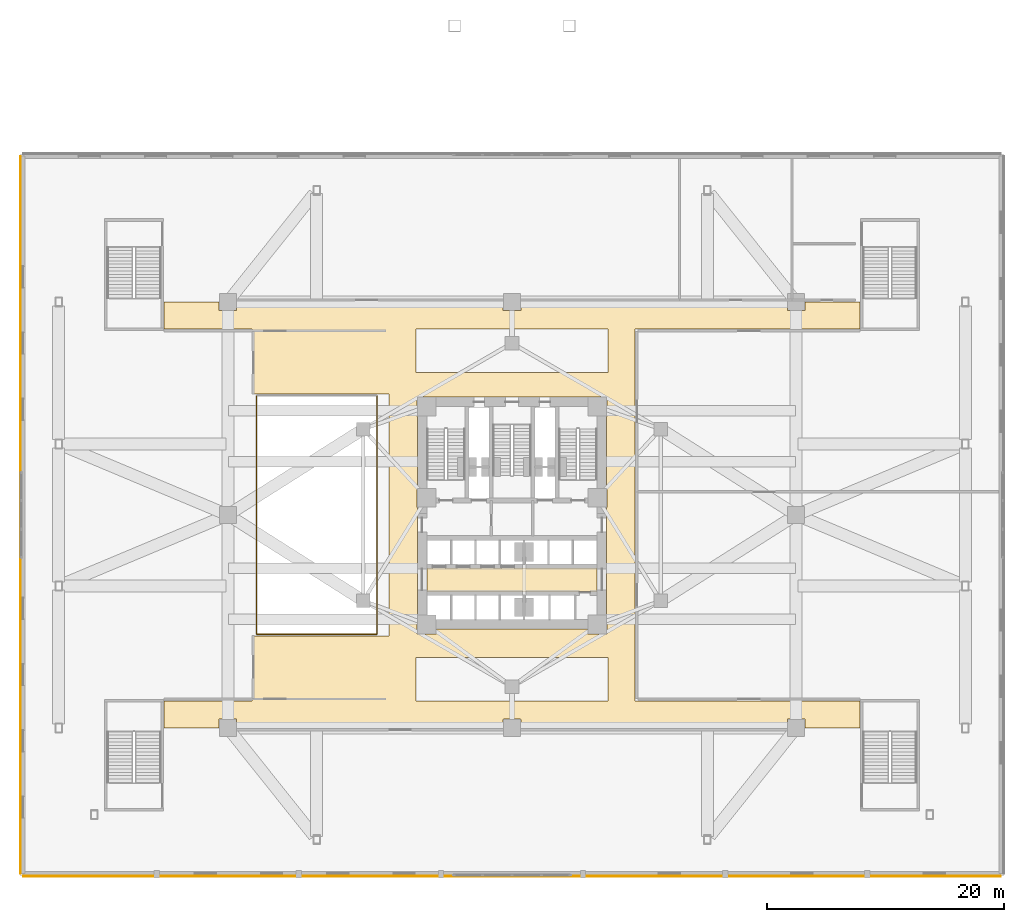
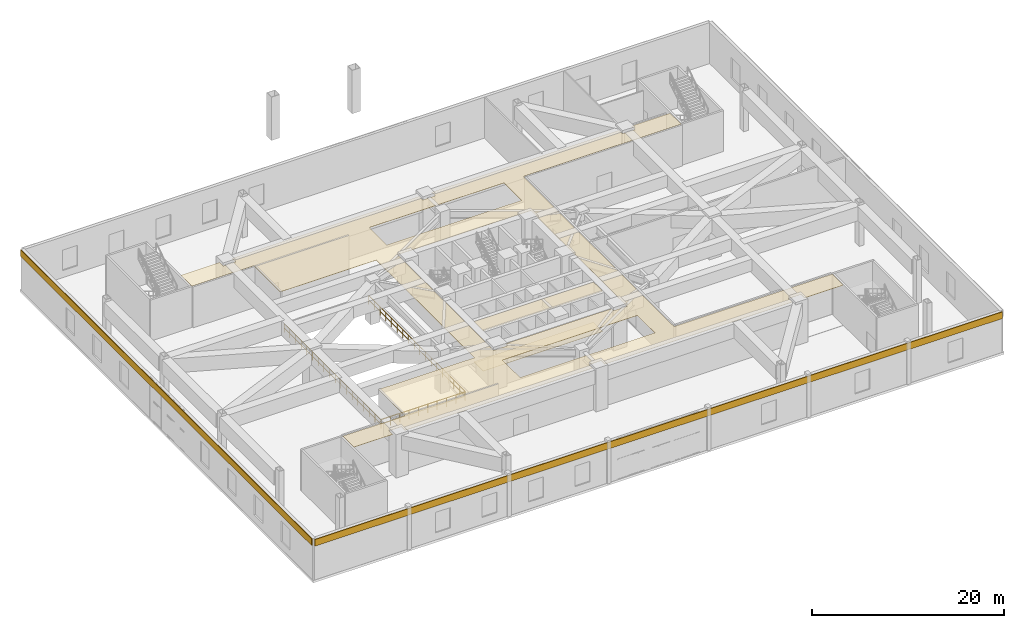
# One storey, part 17 of 23: 5 coverings, 3 railings.
"""IFC4 building model written with IfcOpenShell, lengths in metres."""

from ifc_helpers import new_model, si_unit, direction, frame, origin, origin_2d, place, context, subcontext, project, spatial, polyline, rectangle, outline, extrude, material, layer, layer_set, type_object, element, save


model = new_model("IFC4")

# Units and contexts
model_context = context("Model", 3, precision=1e-05, world=origin(), true_north=direction((0.0, 1.0)))
body_context = subcontext(model_context, "Body", "Model", "MODEL_VIEW")
ifc_project = project(units=[si_unit("LENGTHUNIT", "METRE"), si_unit("AREAUNIT", "SQUARE_METRE"), si_unit("VOLUMEUNIT", "CUBIC_METRE"), si_unit("PLANEANGLEUNIT", "RADIAN"), si_unit("MASSUNIT", "GRAM", prefix="KILO")], contexts=[model_context])

# Site, building, storey
site_placement = place(None, origin())
site = spatial("IfcSite", under=ifc_project, at=site_placement, CompositionType="ELEMENT")
building_placement = place(site_placement, origin())
building = spatial("IfcBuilding", under=site, at=building_placement, Name="Apsidion Concourse Tower", CompositionType="ELEMENT")
storey_placement = place(building_placement, frame((0.0, 0.0, 6.0)))
storey = spatial("IfcBuildingStorey", under=building, at=storey_placement, Name="L01", CompositionType="ELEMENT", Elevation=6.0)

# Coverings
ifc_material_1 = material(Name="Acoustic mineral fibre ceiling")
ifc_layer_1 = layer(ifc_material_1, 0.0400390625)
ifc_layer_set_1 = layer_set([ifc_layer_1], Name="Acoustic mineral fibre ceiling")
covering_type_1 = type_object("IfcCoveringType", Name="COV-CEIL-40", PredefinedType="CEILING", material=ifc_layer_set_1)
covering_1_placement = place(storey_placement, frame((0.0, 0.0, 5.10009765625)))
element("IfcCovering", 1, at=covering_1_placement, inside=storey, type_object=covering_type_1, Name="L01 Acoustic Ceiling Grid 1", PredefinedType="CEILING", context=body_context, shape_type="SweptSolid", body=[
    extrude(outline(polyline([(-7.179931640625, -6.449951171875), (-7.179931640625, -4.47998046875), (7.179931640625, -4.47998046875), (7.179931640625, -6.449951171875), (-7.179931640625, -6.449951171875)])), origin(), (0.0, 0.0, 1.0), 0.039794921875),
])
covering_2_placement = place(storey_placement, frame((0.0, 0.0, 5.10009765625)))
element("IfcCovering", 2, at=covering_2_placement, inside=storey, type_object=covering_type_1, Name="L01 Acoustic Ceiling Grid 2", PredefinedType="CEILING", context=body_context, shape_type="SweptSolid", body=[
    extrude(outline(polyline([(0.7451171875, -18.0), (0.7451171875, -17.27490234375), (0.744873046875, -17.27294921875), (0.74462890625, -17.27099609375), (0.744140625, -17.269287109375), (0.743408203125, -17.267333984375), (0.74267578125, -17.265625), (0.74169921875, -17.263916015625), (0.740478515625, -17.26220703125), (0.739013671875, -17.260986328125), (0.73779296875, -17.259521484375), (0.736083984375, -17.25830078125), (0.734375, -17.25732421875), (0.732666015625, -17.256591796875), (0.730712890625, -17.255859375), (0.72900390625, -17.25537109375), (0.72705078125, -17.255126953125), (0.72509765625, -17.2548828125), (-0.72509765625, -17.2548828125), (-0.72705078125, -17.255126953125), (-0.72900390625, -17.25537109375), (-0.730712890625, -17.255859375), (-0.732666015625, -17.256591796875), (-0.734375, -17.25732421875), (-0.736083984375, -17.25830078125), (-0.73779296875, -17.259521484375), (-0.739013671875, -17.260986328125), (-0.740478515625, -17.26220703125), (-0.74169921875, -17.263916015625), (-0.74267578125, -17.265625), (-0.743408203125, -17.267333984375), (-0.744140625, -17.269287109375), (-0.74462890625, -17.27099609375), (-0.744873046875, -17.27294921875), (-0.7451171875, -17.27490234375), (-0.7451171875, -18.0), (-8.10009765625, -18.0), (-10.39990234375, -18.0), (-23.2548828125, -18.0), (-23.2548828125, -17.27490234375), (-23.255126953125, -17.27294921875), (-23.25537109375, -17.27099609375), (-23.255859375, -17.269287109375), (-23.256591796875, -17.267333984375), (-23.25732421875, -17.265625), (-23.25830078125, -17.263916015625), (-23.259521484375, -17.26220703125), (-23.260986328125, -17.260986328125), (-23.26220703125, -17.259521484375), (-23.263916015625, -17.25830078125), (-23.265625, -17.25732421875), (-23.267333984375, -17.256591796875), (-23.269287109375, -17.255859375), (-23.27099609375, -17.25537109375), (-23.27294921875, -17.255126953125), (-23.27490234375, -17.2548828125), (-24.72509765625, -17.2548828125), (-24.72705078125, -17.255126953125), (-24.72900390625, -17.25537109375), (-24.730712890625, -17.255859375), (-24.732666015625, -17.256591796875), (-24.734375, -17.25732421875), (-24.736083984375, -17.25830078125), (-24.73779296875, -17.259521484375), (-24.739013671875, -17.260986328125), (-24.740478515625, -17.26220703125), (-24.74169921875, -17.263916015625), (-24.74267578125, -17.265625), (-24.743408203125, -17.267333984375), (-24.744140625, -17.269287109375), (-24.74462890625, -17.27099609375), (-24.744873046875, -17.27294921875), (-24.7451171875, -17.27490234375), (-24.7451171875, -18.0), (-29.39990234375, -18.0), (-29.39990234375, -15.699951171875), (-21.949951171875, -15.699951171875), (-21.949951171875, -10.219970703125), (-10.39990234375, -10.219970703125), (-10.39990234375, 10.219970703125), (-21.949951171875, 10.219970703125), (-21.949951171875, 15.699951171875), (-29.39990234375, 15.699951171875), (-29.39990234375, 18.0), (-24.7451171875, 18.0), (-24.7451171875, 17.27490234375), (-24.744873046875, 17.27294921875), (-24.74462890625, 17.27099609375), (-24.744140625, 17.269287109375), (-24.743408203125, 17.267333984375), (-24.74267578125, 17.265625), (-24.74169921875, 17.263916015625), (-24.740478515625, 17.26220703125), (-24.739013671875, 17.260986328125), (-24.73779296875, 17.259521484375), (-24.736083984375, 17.25830078125), (-24.734375, 17.25732421875), (-24.732666015625, 17.256591796875), (-24.730712890625, 17.255859375), (-24.72900390625, 17.25537109375), (-24.72705078125, 17.255126953125), (-24.72509765625, 17.2548828125), (-23.27490234375, 17.2548828125), (-23.27294921875, 17.255126953125), (-23.27099609375, 17.25537109375), (-23.269287109375, 17.255859375), (-23.267333984375, 17.256591796875), (-23.265625, 17.25732421875), (-23.263916015625, 17.25830078125), (-23.26220703125, 17.259521484375), (-23.260986328125, 17.260986328125), (-23.259521484375, 17.26220703125), (-23.25830078125, 17.263916015625), (-23.25732421875, 17.265625), (-23.256591796875, 17.267333984375), (-23.255859375, 17.269287109375), (-23.25537109375, 17.27099609375), (-23.255126953125, 17.27294921875), (-23.2548828125, 17.27490234375), (-23.2548828125, 18.0), (-10.39990234375, 18.0), (-8.10009765625, 18.0), (-0.7451171875, 18.0), (-0.7451171875, 17.27490234375), (-0.744873046875, 17.27294921875), (-0.74462890625, 17.27099609375), (-0.744140625, 17.269287109375), (-0.743408203125, 17.267333984375), (-0.74267578125, 17.265625), (-0.74169921875, 17.263916015625), (-0.740478515625, 17.26220703125), (-0.739013671875, 17.260986328125), (-0.73779296875, 17.259521484375), (-0.736083984375, 17.25830078125), (-0.734375, 17.25732421875), (-0.732666015625, 17.256591796875), (-0.730712890625, 17.255859375), (-0.72900390625, 17.25537109375), (-0.72705078125, 17.255126953125), (-0.72509765625, 17.2548828125), (0.72509765625, 17.2548828125), (0.72705078125, 17.255126953125), (0.72900390625, 17.25537109375), (0.730712890625, 17.255859375), (0.732666015625, 17.256591796875), (0.734375, 17.25732421875), (0.736083984375, 17.25830078125), (0.73779296875, 17.259521484375), (0.739013671875, 17.260986328125), (0.740478515625, 17.26220703125), (0.74169921875, 17.263916015625), (0.74267578125, 17.265625), (0.743408203125, 17.267333984375), (0.744140625, 17.269287109375), (0.74462890625, 17.27099609375), (0.744873046875, 17.27294921875), (0.7451171875, 17.27490234375), (0.7451171875, 18.0), (8.10009765625, 18.0), (10.39990234375, 18.0), (23.2548828125, 18.0), (23.2548828125, 17.27490234375), (23.255126953125, 17.27294921875), (23.25537109375, 17.27099609375), (23.255859375, 17.269287109375), (23.256591796875, 17.267333984375), (23.25732421875, 17.265625), (23.25830078125, 17.263916015625), (23.259521484375, 17.26220703125), (23.260986328125, 17.260986328125), (23.26220703125, 17.259521484375), (23.263916015625, 17.25830078125), (23.265625, 17.25732421875), (23.267333984375, 17.256591796875), (23.269287109375, 17.255859375), (23.27099609375, 17.25537109375), (23.27294921875, 17.255126953125), (23.27490234375, 17.2548828125), (24.72509765625, 17.2548828125), (24.72705078125, 17.255126953125), (24.72900390625, 17.25537109375), (24.730712890625, 17.255859375), (24.732666015625, 17.256591796875), (24.734375, 17.25732421875), (24.736083984375, 17.25830078125), (24.73779296875, 17.259521484375), (24.739013671875, 17.260986328125), (24.740478515625, 17.26220703125), (24.74169921875, 17.263916015625), (24.74267578125, 17.265625), (24.743408203125, 17.267333984375), (24.744140625, 17.269287109375), (24.74462890625, 17.27099609375), (24.744873046875, 17.27294921875), (24.7451171875, 17.27490234375), (24.7451171875, 18.0), (29.39990234375, 18.0), (29.39990234375, 15.699951171875), (10.39990234375, 15.699951171875), (10.39990234375, 12.050048828125), (10.39990234375, -12.050048828125), (10.39990234375, -15.699951171875), (29.39990234375, -15.699951171875), (29.39990234375, -18.0), (24.7451171875, -18.0), (24.7451171875, -17.27490234375), (24.744873046875, -17.27294921875), (24.74462890625, -17.27099609375), (24.744140625, -17.269287109375), (24.743408203125, -17.267333984375), (24.74267578125, -17.265625), (24.74169921875, -17.263916015625), (24.740478515625, -17.26220703125), (24.739013671875, -17.260986328125), (24.73779296875, -17.259521484375), (24.736083984375, -17.25830078125), (24.734375, -17.25732421875), (24.732666015625, -17.256591796875), (24.730712890625, -17.255859375), (24.72900390625, -17.25537109375), (24.72705078125, -17.255126953125), (24.72509765625, -17.2548828125), (23.27490234375, -17.2548828125), (23.27294921875, -17.255126953125), (23.27099609375, -17.25537109375), (23.269287109375, -17.255859375), (23.267333984375, -17.256591796875), (23.265625, -17.25732421875), (23.263916015625, -17.25830078125), (23.26220703125, -17.259521484375), (23.260986328125, -17.260986328125), (23.259521484375, -17.26220703125), (23.25830078125, -17.263916015625), (23.25732421875, -17.265625), (23.256591796875, -17.267333984375), (23.255859375, -17.269287109375), (23.25537109375, -17.27099609375), (23.255126953125, -17.27294921875), (23.2548828125, -17.27490234375), (23.2548828125, -18.0), (10.39990234375, -18.0), (8.10009765625, -18.0), (0.7451171875, -18.0)]), holes=[polyline([(-8.10009765625, 12.050048828125), (8.10009765625, 12.050048828125), (8.10009765625, 15.699951171875), (-8.10009765625, 15.699951171875), (-8.10009765625, 12.050048828125)]), polyline([(8.10009765625, -12.050048828125), (-8.10009765625, -12.050048828125), (-8.10009765625, -15.699951171875), (8.10009765625, -15.699951171875), (8.10009765625, -12.050048828125)]), polyline([(-6.3798828125, 9.949951171875), (-6.3798828125, 9.949951171875), (-6.380126953125, 9.951904296875), (-6.38037109375, 9.953857421875), (-6.380859375, 9.955810546875), (-6.381591796875, 9.957763671875), (-6.38232421875, 9.95947265625), (-6.38330078125, 9.961181640625), (-6.384521484375, 9.962646484375), (-6.385986328125, 9.964111328125), (-6.38720703125, 9.965576171875), (-6.388916015625, 9.966552734375), (-6.390625, 9.967529296875), (-6.392333984375, 9.968505859375), (-6.394287109375, 9.968994140625), (-6.39599609375, 9.969482421875), (-6.39794921875, 9.969970703125), (-6.39990234375, 9.969970703125), (-8.0, 9.969970703125), (-8.001953125, 9.969970703125), (-8.00390625, 9.969482421875), (-8.005859375, 9.968994140625), (-8.0078125, 9.968505859375), (-8.009521484375, 9.967529296875), (-8.010986328125, 9.966552734375), (-8.0126953125, 9.965576171875), (-8.01416015625, 9.964111328125), (-8.015380859375, 9.962646484375), (-8.0166015625, 9.961181640625), (-8.017578125, 9.95947265625), (-8.0185546875, 9.957763671875), (-8.01904296875, 9.955810546875), (-8.01953125, 9.953857421875), (-8.02001953125, 9.951904296875), (-8.02001953125, 9.949951171875), (-8.02001953125, 8.35009765625), (-8.02001953125, 8.347900390625), (-8.01953125, 8.34619140625), (-8.01904296875, 8.34423828125), (-8.0185546875, 8.34228515625), (-8.017578125, 8.340576171875), (-8.0166015625, 8.3388671875), (-8.015380859375, 8.33740234375), (-8.01416015625, 8.3359375), (-8.0126953125, 8.33447265625), (-8.010986328125, 8.33349609375), (-8.009521484375, 8.33251953125), (-8.0078125, 8.33154296875), (-8.005859375, 8.330810546875), (-8.00390625, 8.330322265625), (-8.001953125, 8.330078125), (-8.0, 8.330078125), (-8.0, 2.27001953125), (-8.001953125, 2.27001953125), (-8.00390625, 2.26953125), (-8.005859375, 2.26904296875), (-8.0078125, 2.2685546875), (-8.009521484375, 2.267578125), (-8.010986328125, 2.2666015625), (-8.0126953125, 2.265380859375), (-8.01416015625, 2.26416015625), (-8.015380859375, 2.2626953125), (-8.0166015625, 2.260986328125), (-8.017578125, 2.259521484375), (-8.0185546875, 2.2578125), (-8.01904296875, 2.255859375), (-8.01953125, 2.25390625), (-8.02001953125, 2.251953125), (-8.02001953125, 2.25), (-8.02001953125, 0.64990234375), (-8.02001953125, 0.64794921875), (-8.01953125, 0.64599609375), (-8.01904296875, 0.644287109375), (-8.0185546875, 0.642333984375), (-8.017578125, 0.640625), (-8.0166015625, 0.638916015625), (-8.015380859375, 0.63720703125), (-8.01416015625, 0.635986328125), (-8.0126953125, 0.634521484375), (-8.010986328125, 0.63330078125), (-8.009521484375, 0.63232421875), (-8.0078125, 0.631591796875), (-8.005859375, 0.630859375), (-8.00390625, 0.63037109375), (-8.001953125, 0.630126953125), (-8.0, 0.6298828125), (-8.0, -8.429931640625), (-8.001953125, -8.43017578125), (-8.00390625, -8.430419921875), (-8.005859375, -8.430908203125), (-8.0078125, -8.431396484375), (-8.009521484375, -8.432373046875), (-8.010986328125, -8.433349609375), (-8.0126953125, -8.4345703125), (-8.01416015625, -8.435791015625), (-8.015380859375, -8.437255859375), (-8.0166015625, -8.43896484375), (-8.017578125, -8.440673828125), (-8.0185546875, -8.4423828125), (-8.01904296875, -8.444091796875), (-8.01953125, -8.446044921875), (-8.02001953125, -8.447998046875), (-8.02001953125, -8.449951171875), (-8.02001953125, -10.050048828125), (-8.02001953125, -10.052001953125), (-8.01953125, -10.053955078125), (-8.01904296875, -10.055908203125), (-8.0185546875, -10.0576171875), (-8.017578125, -10.059326171875), (-8.0166015625, -10.06103515625), (-8.015380859375, -10.062744140625), (-8.01416015625, -10.064208984375), (-8.0126953125, -10.0654296875), (-8.010986328125, -10.066650390625), (-8.009521484375, -10.067626953125), (-8.0078125, -10.068603515625), (-8.005859375, -10.069091796875), (-8.00390625, -10.069580078125), (-8.001953125, -10.06982421875), (-8.0, -10.070068359375), (-6.39990234375, -10.070068359375), (-6.39794921875, -10.06982421875), (-6.39599609375, -10.069580078125), (-6.394287109375, -10.069091796875), (-6.392333984375, -10.068603515625), (-6.390625, -10.067626953125), (-6.388916015625, -10.066650390625), (-6.38720703125, -10.0654296875), (-6.385986328125, -10.064208984375), (-6.384521484375, -10.062744140625), (-6.38330078125, -10.06103515625), (-6.38232421875, -10.059326171875), (-6.381591796875, -10.0576171875), (-6.380859375, -10.055908203125), (-6.38037109375, -10.053955078125), (-6.380126953125, -10.052001953125), (-6.3798828125, -10.050048828125), (-6.3798828125, -9.64990234375), (6.3798828125, -9.64990234375), (6.3798828125, -10.050048828125), (6.380126953125, -10.052001953125), (6.38037109375, -10.053955078125), (6.380859375, -10.055908203125), (6.381591796875, -10.0576171875), (6.38232421875, -10.059326171875), (6.38330078125, -10.06103515625), (6.384521484375, -10.062744140625), (6.385986328125, -10.064208984375), (6.38720703125, -10.0654296875), (6.388916015625, -10.066650390625), (6.390625, -10.067626953125), (6.392333984375, -10.068603515625), (6.394287109375, -10.069091796875), (6.39599609375, -10.069580078125), (6.39794921875, -10.06982421875), (6.39990234375, -10.070068359375), (8.0, -10.070068359375), (8.001953125, -10.06982421875), (8.00390625, -10.069580078125), (8.005859375, -10.069091796875), (8.0078125, -10.068603515625), (8.009521484375, -10.067626953125), (8.010986328125, -10.066650390625), (8.0126953125, -10.0654296875), (8.01416015625, -10.064208984375), (8.015380859375, -10.062744140625), (8.0166015625, -10.06103515625), (8.017578125, -10.059326171875), (8.0185546875, -10.0576171875), (8.01904296875, -10.055908203125), (8.01953125, -10.053955078125), (8.02001953125, -10.052001953125), (8.02001953125, -10.050048828125), (8.02001953125, -8.449951171875), (8.02001953125, -8.447998046875), (8.01953125, -8.446044921875), (8.01904296875, -8.444091796875), (8.0185546875, -8.4423828125), (8.017578125, -8.440673828125), (8.0166015625, -8.43896484375), (8.015380859375, -8.437255859375), (8.01416015625, -8.435791015625), (8.0126953125, -8.4345703125), (8.010986328125, -8.433349609375), (8.009521484375, -8.432373046875), (8.0078125, -8.431396484375), (8.005859375, -8.430908203125), (8.00390625, -8.430419921875), (8.001953125, -8.43017578125), (8.0, -8.429931640625), (8.0, 0.6298828125), (8.001953125, 0.630126953125), (8.00390625, 0.63037109375), (8.005859375, 0.630859375), (8.0078125, 0.631591796875), (8.009521484375, 0.63232421875), (8.010986328125, 0.63330078125), (8.0126953125, 0.634521484375), (8.01416015625, 0.635986328125), (8.015380859375, 0.63720703125), (8.0166015625, 0.638916015625), (8.017578125, 0.640625), (8.0185546875, 0.642333984375), (8.01904296875, 0.644287109375), (8.01953125, 0.64599609375), (8.02001953125, 0.64794921875), (8.02001953125, 0.64990234375), (8.02001953125, 2.25), (8.02001953125, 2.251953125), (8.01953125, 2.25390625), (8.01904296875, 2.255859375), (8.0185546875, 2.2578125), (8.017578125, 2.259521484375), (8.0166015625, 2.260986328125), (8.015380859375, 2.2626953125), (8.01416015625, 2.26416015625), (8.0126953125, 2.265380859375), (8.010986328125, 2.2666015625), (8.009521484375, 2.267578125), (8.0078125, 2.2685546875), (8.005859375, 2.26904296875), (8.00390625, 2.26953125), (8.001953125, 2.27001953125), (8.0, 2.27001953125), (8.0, 8.330078125), (8.001953125, 8.330078125), (8.00390625, 8.330322265625), (8.005859375, 8.330810546875), (8.0078125, 8.33154296875), (8.009521484375, 8.33251953125), (8.010986328125, 8.33349609375), (8.0126953125, 8.33447265625), (8.01416015625, 8.3359375), (8.015380859375, 8.33740234375), (8.0166015625, 8.3388671875), (8.017578125, 8.340576171875), (8.0185546875, 8.34228515625), (8.01904296875, 8.34423828125), (8.01953125, 8.34619140625), (8.02001953125, 8.347900390625), (8.02001953125, 8.35009765625), (8.02001953125, 9.949951171875), (8.02001953125, 9.951904296875), (8.01953125, 9.953857421875), (8.01904296875, 9.955810546875), (8.0185546875, 9.957763671875), (8.017578125, 9.95947265625), (8.0166015625, 9.961181640625), (8.015380859375, 9.962646484375), (8.01416015625, 9.964111328125), (8.0126953125, 9.965576171875), (8.010986328125, 9.966552734375), (8.009521484375, 9.967529296875), (8.0078125, 9.968505859375), (8.005859375, 9.968994140625), (8.00390625, 9.969482421875), (8.001953125, 9.969970703125), (8.0, 9.969970703125), (6.39990234375, 9.969970703125), (6.39794921875, 9.969970703125), (6.39599609375, 9.969482421875), (6.394287109375, 9.968994140625), (6.392333984375, 9.968505859375), (6.390625, 9.967529296875), (6.388916015625, 9.966552734375), (6.38720703125, 9.965576171875), (6.385986328125, 9.964111328125), (6.384521484375, 9.962646484375), (6.38330078125, 9.961181640625), (6.38232421875, 9.95947265625), (6.381591796875, 9.957763671875), (6.380859375, 9.955810546875), (6.38037109375, 9.953857421875), (6.380126953125, 9.951904296875), (6.3798828125, 9.949951171875), (6.3798828125, 9.949951171875), (-6.3798828125, 9.949951171875)])]), origin(), (0.0, 0.0, 1.0), 0.039794921875),
])
ifc_material_2 = material(Name="Reconstituted limestone facade cladding", Category="masonry")
ifc_layer_2 = layer(ifc_material_2, 0.080078125)
ifc_layer_set_2 = layer_set([ifc_layer_2], Name="Reconstituted limestone facade cladding")
covering_type_2 = type_object("IfcCoveringType", Name="COV-CLAD-80", PredefinedType="CLADDING", material=ifc_layer_set_2)
covering_3_placement = place(storey_placement, frame((0.0, 0.0, 4.35009765625)))
element("IfcCovering", 3, at=covering_3_placement, inside=storey, type_object=covering_type_2, Name="L01 Limestone Spandrel Cladding S", PredefinedType="CLADDING", context=body_context, shape_type="SweptSolid", body=[
    extrude(outline(polyline([(41.300048828125, -30.47998046875), (-41.300048828125, -30.47998046875), (-41.300048828125, -30.56005859375), (41.300048828125, -30.56005859375), (41.300048828125, -30.47998046875)])), origin(), (0.0, 0.0, 1.0), 0.849853515625),
])
covering_4_placement = place(storey_placement, frame((0.0, 0.0, 4.35009765625)))
element("IfcCovering", 4, at=covering_4_placement, inside=storey, type_object=covering_type_2, Name="L01 Limestone Spandrel Cladding W", PredefinedType="CLADDING", context=body_context, shape_type="SweptSolid", body=[
    extrude(outline(polyline([(-41.47998046875, -30.300048828125), (-41.47998046875, 30.300048828125), (-41.56005859375, 30.300048828125), (-41.56005859375, -30.300048828125), (-41.47998046875, -30.300048828125)])), origin(), (0.0, 0.0, 1.0), 0.849853515625),
])
ifc_material_3 = material(Name="Honed travertine floor finish", Category="masonry")
ifc_layer_3 = layer(ifc_material_3, 0.02001953125)
ifc_layer_set_3 = layer_set([ifc_layer_3], Name="Honed travertine floor finish")
covering_type_3 = type_object("IfcCoveringType", Name="COV-FLOR-20", PredefinedType="FLOORING", material=ifc_layer_set_3)
covering_5_placement = place(storey_placement, origin())
element("IfcCovering", 5, at=covering_5_placement, inside=storey, type_object=covering_type_3, Name="L01 Honed Travertine Floor Finish 1", PredefinedType="FLOORING", context=body_context, shape_type="SweptSolid", body=[
    extrude(outline(polyline([(-7.179931640625, -6.449951171875), (-7.179931640625, -4.47998046875), (7.179931640625, -4.47998046875), (7.179931640625, -6.449951171875), (-7.179931640625, -6.449951171875)])), origin(), (0.0, 0.0, 1.0), 0.02001953125),
])

# Railings
ifc_material_4 = material(Name="Brushed stainless steel 316", Category="steel")
railing_type = type_object("IfcRailingType", Name="RL-VOID-1120", PredefinedType="GUARDRAIL", material=ifc_material_4)
railing_1_placement = place(storey_placement, frame((-21.550048828125, -10.080078125, 0.0)))
element("IfcRailing", 6, at=railing_1_placement, inside=storey, type_object=railing_type, Name="L01 Street Concourse Atrium Void Guardrail S", PredefinedType="GUARDRAIL", context=body_context, shape_type="SweptSolid", body=[
    extrude(rectangle(XDim=0.048095703125, YDim=0.048095703125, at=origin_2d()), frame((0.0, 0.0, 1.09619140625), z_axis=(1.0, 0.0, 0.0), x_axis=(0.0, 1.0, 0.0)), (0.0, 0.0, 1.0), 10.10009765625),
    extrude(rectangle(XDim=0.048095703125, YDim=0.048095703125, at=origin_2d()), frame((0.0, 0.0, 0.5361328125), z_axis=(1.0, 0.0, 0.0), x_axis=(0.0, 1.0, 0.0)), (0.0, 0.0, 1.0), 10.10009765625),
    extrude(rectangle(XDim=0.0419921875, YDim=0.0419921875, at=origin_2d()), origin(), (0.0, 0.0, 1.0), 1.072021484375),
    extrude(rectangle(XDim=0.0419921875, YDim=0.0419921875, at=origin_2d()), frame((1.122314453125, 0.0, 0.0)), (0.0, 0.0, 1.0), 1.072021484375),
    extrude(rectangle(XDim=0.0419921875, YDim=0.0419921875, at=origin_2d()), frame((2.244384765625, 0.0, 0.0)), (0.0, 0.0, 1.0), 1.072021484375),
    extrude(rectangle(XDim=0.0419921875, YDim=0.0419921875, at=origin_2d()), frame((3.36669921875, 0.0, 0.0)), (0.0, 0.0, 1.0), 1.072021484375),
    extrude(rectangle(XDim=0.0419921875, YDim=0.0419921875, at=origin_2d()), frame((4.489013671875, 0.0, 0.0)), (0.0, 0.0, 1.0), 1.072021484375),
    extrude(rectangle(XDim=0.0419921875, YDim=0.0419921875, at=origin_2d()), frame((5.611083984375, 0.0, 0.0)), (0.0, 0.0, 1.0), 1.072021484375),
    extrude(rectangle(XDim=0.0419921875, YDim=0.0419921875, at=origin_2d()), frame((6.7333984375, 0.0, 0.0)), (0.0, 0.0, 1.0), 1.072021484375),
    extrude(rectangle(XDim=0.0419921875, YDim=0.0419921875, at=origin_2d()), frame((7.855712890625, 0.0, 0.0)), (0.0, 0.0, 1.0), 1.072021484375),
    extrude(rectangle(XDim=0.0419921875, YDim=0.0419921875, at=origin_2d()), frame((8.977783203125, 0.0, 0.0)), (0.0, 0.0, 1.0), 1.072021484375),
    extrude(rectangle(XDim=0.0419921875, YDim=0.0419921875, at=origin_2d()), frame((10.10009765625, 0.0, 0.0)), (0.0, 0.0, 1.0), 1.072021484375),
])
railing_2_placement = place(storey_placement, frame((-11.419921875, -10.050048828125, 0.0)))
element("IfcRailing", 7, at=railing_2_placement, inside=storey, type_object=railing_type, Name="L01 Street Concourse Atrium Void Guardrail E", PredefinedType="GUARDRAIL", context=body_context, shape_type="SweptSolid", body=[
    extrude(rectangle(XDim=0.048095703125, YDim=0.048095703125, at=origin_2d()), frame((0.0, 0.0, 1.09619140625), z_axis=(0.0, 1.0, 0.0), x_axis=(-1.0, 0.0, 0.0)), (0.0, 0.0, 1.0), 20.10009765625),
    extrude(rectangle(XDim=0.048095703125, YDim=0.048095703125, at=origin_2d()), frame((0.0, 0.0, 0.5361328125), z_axis=(0.0, 1.0, 0.0), x_axis=(-1.0, 0.0, 0.0)), (0.0, 0.0, 1.0), 20.10009765625),
    extrude(rectangle(XDim=0.0419921875, YDim=0.0419921875, at=origin_2d()), origin(), (0.0, 0.0, 1.0), 1.072021484375),
    extrude(rectangle(XDim=0.0419921875, YDim=0.0419921875, at=origin_2d()), frame((0.0, 1.182373046875, 0.0)), (0.0, 0.0, 1.0), 1.072021484375),
    extrude(rectangle(XDim=0.0419921875, YDim=0.0419921875, at=origin_2d()), frame((0.0, 2.36474609375, 0.0)), (0.0, 0.0, 1.0), 1.072021484375),
    extrude(rectangle(XDim=0.0419921875, YDim=0.0419921875, at=origin_2d()), frame((0.0, 3.547119140625, 0.0)), (0.0, 0.0, 1.0), 1.072021484375),
    extrude(rectangle(XDim=0.0419921875, YDim=0.0419921875, at=origin_2d()), frame((0.0, 4.7294921875, 0.0)), (0.0, 0.0, 1.0), 1.072021484375),
    extrude(rectangle(XDim=0.0419921875, YDim=0.0419921875, at=origin_2d()), frame((0.0, 5.911865234375, 0.0)), (0.0, 0.0, 1.0), 1.072021484375),
    extrude(rectangle(XDim=0.0419921875, YDim=0.0419921875, at=origin_2d()), frame((0.0, 7.09423828125, 0.0)), (0.0, 0.0, 1.0), 1.072021484375),
    extrude(rectangle(XDim=0.0419921875, YDim=0.0419921875, at=origin_2d()), frame((0.0, 8.276611328125, 0.0)), (0.0, 0.0, 1.0), 1.072021484375),
    extrude(rectangle(XDim=0.0419921875, YDim=0.0419921875, at=origin_2d()), frame((0.0, 9.458984375, 0.0)), (0.0, 0.0, 1.0), 1.072021484375),
    extrude(rectangle(XDim=0.0419921875, YDim=0.0419921875, at=origin_2d()), frame((0.0, 10.64111328125, 0.0)), (0.0, 0.0, 1.0), 1.072021484375),
    extrude(rectangle(XDim=0.0419921875, YDim=0.0419921875, at=origin_2d()), frame((0.0, 11.823486328125, 0.0)), (0.0, 0.0, 1.0), 1.072021484375),
    extrude(rectangle(XDim=0.0419921875, YDim=0.0419921875, at=origin_2d()), frame((0.0, 13.005859375, 0.0)), (0.0, 0.0, 1.0), 1.072021484375),
    extrude(rectangle(XDim=0.0419921875, YDim=0.0419921875, at=origin_2d()), frame((0.0, 14.188232421875, 0.0)), (0.0, 0.0, 1.0), 1.072021484375),
    extrude(rectangle(XDim=0.0419921875, YDim=0.0419921875, at=origin_2d()), frame((0.0, 15.37060546875, 0.0)), (0.0, 0.0, 1.0), 1.072021484375),
    extrude(rectangle(XDim=0.0419921875, YDim=0.0419921875, at=origin_2d()), frame((0.0, 16.552978515625, 0.0)), (0.0, 0.0, 1.0), 1.072021484375),
    extrude(rectangle(XDim=0.0419921875, YDim=0.0419921875, at=origin_2d()), frame((0.0, 17.7353515625, 0.0)), (0.0, 0.0, 1.0), 1.072021484375),
    extrude(rectangle(XDim=0.0419921875, YDim=0.0419921875, at=origin_2d()), frame((0.0, 18.917724609375, 0.0)), (0.0, 0.0, 1.0), 1.072021484375),
    extrude(rectangle(XDim=0.0419921875, YDim=0.0419921875, at=origin_2d()), frame((0.0, 20.10009765625, 0.0)), (0.0, 0.0, 1.0), 1.072021484375),
])
railing_3_placement = place(storey_placement, frame((-21.580078125, 10.050048828125, 0.0)))
element("IfcRailing", 8, at=railing_3_placement, inside=storey, type_object=railing_type, Name="L01 Street Concourse Atrium Void Guardrail W", PredefinedType="GUARDRAIL", context=body_context, shape_type="SweptSolid", body=[
    extrude(rectangle(XDim=0.048095703125, YDim=0.048095703125, at=origin_2d()), frame((0.0, 0.0, 1.09619140625), z_axis=(0.0, -1.0, 0.0), x_axis=(1.0, 0.0, 0.0)), (0.0, 0.0, 1.0), 20.10009765625),
    extrude(rectangle(XDim=0.048095703125, YDim=0.048095703125, at=origin_2d()), frame((0.0, 0.0, 0.5361328125), z_axis=(0.0, -1.0, 0.0), x_axis=(1.0, 0.0, 0.0)), (0.0, 0.0, 1.0), 20.10009765625),
    extrude(rectangle(XDim=0.0419921875, YDim=0.0419921875, at=origin_2d()), origin(), (0.0, 0.0, 1.0), 1.072021484375),
    extrude(rectangle(XDim=0.0419921875, YDim=0.0419921875, at=origin_2d()), frame((0.0, -1.182373046875, 0.0)), (0.0, 0.0, 1.0), 1.072021484375),
    extrude(rectangle(XDim=0.0419921875, YDim=0.0419921875, at=origin_2d()), frame((0.0, -2.36474609375, 0.0)), (0.0, 0.0, 1.0), 1.072021484375),
    extrude(rectangle(XDim=0.0419921875, YDim=0.0419921875, at=origin_2d()), frame((0.0, -3.547119140625, 0.0)), (0.0, 0.0, 1.0), 1.072021484375),
    extrude(rectangle(XDim=0.0419921875, YDim=0.0419921875, at=origin_2d()), frame((0.0, -4.7294921875, 0.0)), (0.0, 0.0, 1.0), 1.072021484375),
    extrude(rectangle(XDim=0.0419921875, YDim=0.0419921875, at=origin_2d()), frame((0.0, -5.911865234375, 0.0)), (0.0, 0.0, 1.0), 1.072021484375),
    extrude(rectangle(XDim=0.0419921875, YDim=0.0419921875, at=origin_2d()), frame((0.0, -7.09423828125, 0.0)), (0.0, 0.0, 1.0), 1.072021484375),
    extrude(rectangle(XDim=0.0419921875, YDim=0.0419921875, at=origin_2d()), frame((0.0, -8.276611328125, 0.0)), (0.0, 0.0, 1.0), 1.072021484375),
    extrude(rectangle(XDim=0.0419921875, YDim=0.0419921875, at=origin_2d()), frame((0.0, -9.458984375, 0.0)), (0.0, 0.0, 1.0), 1.072021484375),
    extrude(rectangle(XDim=0.0419921875, YDim=0.0419921875, at=origin_2d()), frame((0.0, -10.64111328125, 0.0)), (0.0, 0.0, 1.0), 1.072021484375),
    extrude(rectangle(XDim=0.0419921875, YDim=0.0419921875, at=origin_2d()), frame((0.0, -11.823486328125, 0.0)), (0.0, 0.0, 1.0), 1.072021484375),
    extrude(rectangle(XDim=0.0419921875, YDim=0.0419921875, at=origin_2d()), frame((0.0, -13.005859375, 0.0)), (0.0, 0.0, 1.0), 1.072021484375),
    extrude(rectangle(XDim=0.0419921875, YDim=0.0419921875, at=origin_2d()), frame((0.0, -14.188232421875, 0.0)), (0.0, 0.0, 1.0), 1.072021484375),
    extrude(rectangle(XDim=0.0419921875, YDim=0.0419921875, at=origin_2d()), frame((0.0, -15.37060546875, 0.0)), (0.0, 0.0, 1.0), 1.072021484375),
    extrude(rectangle(XDim=0.0419921875, YDim=0.0419921875, at=origin_2d()), frame((0.0, -16.552978515625, 0.0)), (0.0, 0.0, 1.0), 1.072021484375),
    extrude(rectangle(XDim=0.0419921875, YDim=0.0419921875, at=origin_2d()), frame((0.0, -17.7353515625, 0.0)), (0.0, 0.0, 1.0), 1.072021484375),
    extrude(rectangle(XDim=0.0419921875, YDim=0.0419921875, at=origin_2d()), frame((0.0, -18.917724609375, 0.0)), (0.0, 0.0, 1.0), 1.072021484375),
    extrude(rectangle(XDim=0.0419921875, YDim=0.0419921875, at=origin_2d()), frame((0.0, -20.10009765625, 0.0)), (0.0, 0.0, 1.0), 1.072021484375),
])

save(model, "model.ifc")
